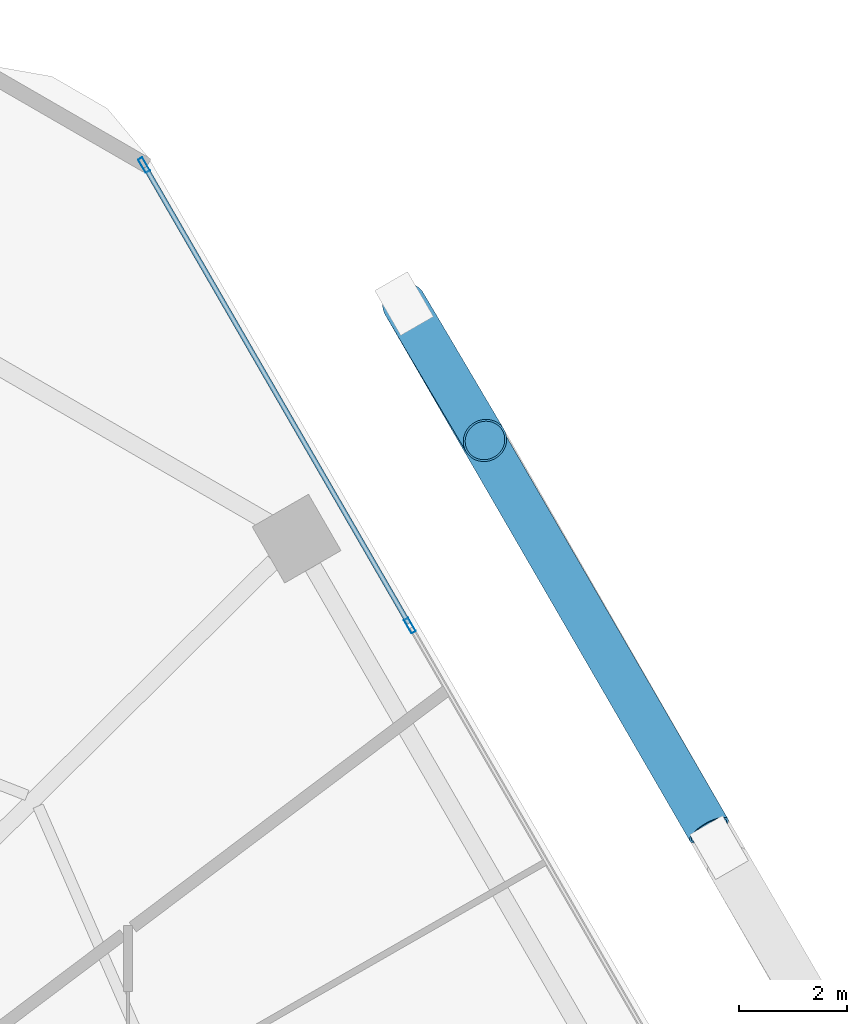
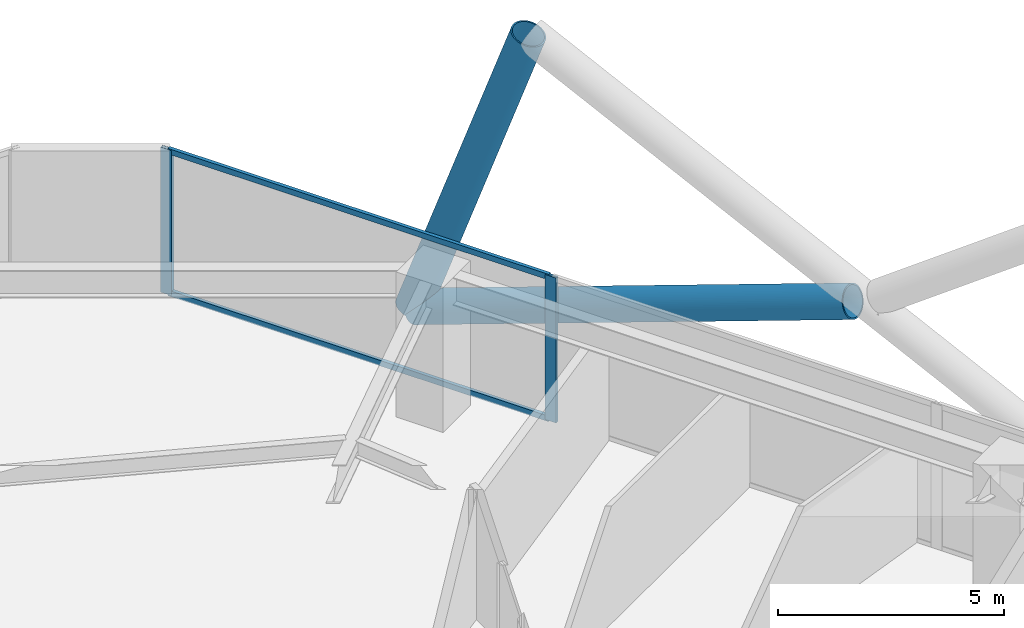
# One storey, part 23 of 29: 6 members, 1 element without a shape of its own.
"""IFC4 building model written with IfcOpenShell, lengths in metres."""

from ifc_helpers import new_model, si_unit, direction, frame, origin, origin_2d, place, context, subcontext, project, spatial, hollow_rectangle, hollow_circle, extrude, material, material_profile, profile_set, type_object, element, aggregate, save


model = new_model("IFC4")

# Units and contexts
model_context = context("Model", 3, precision=1e-05, world=origin(), true_north=direction((0.0, 1.0)))
body_context = subcontext(model_context, "Body", "Model", "MODEL_VIEW")
ifc_project = project(units=[si_unit("LENGTHUNIT", "METRE"), si_unit("AREAUNIT", "SQUARE_METRE"), si_unit("VOLUMEUNIT", "CUBIC_METRE"), si_unit("PLANEANGLEUNIT", "RADIAN"), si_unit("MASSUNIT", "GRAM", prefix="KILO")], contexts=[model_context])

# Site, building, storey
site_placement = place(None, origin())
site = spatial("IfcSite", under=ifc_project, at=site_placement, CompositionType="ELEMENT")
building_placement = place(site_placement, origin())
building = spatial("IfcBuilding", under=site, at=building_placement, Name="Zuhravey Tower", CompositionType="ELEMENT")
storey_placement = place(building_placement, frame((0.0, 0.0, 41.39990234375)))
storey = spatial("IfcBuildingStorey", under=building, at=storey_placement, Name="L10", CompositionType="ELEMENT", Elevation=41.39990234375)

# Curtain wall, members
ifc_material_1 = material(Name="Thermally broken anodised aluminium", Category="aluminium")
curtain_wall_type = type_object("IfcCurtainWallType", Name="School Low-E Unitised Curtain Wall CW1", PredefinedType="NOTDEFINED", material=ifc_material_1)
curtain_wall_placement = place(storey_placement, origin())
curtain_wall = element("IfcCurtainWall", 1, at=curtain_wall_placement, inside=storey, type_object=curtain_wall_type, Name="L10 CW1 CW-L10-F1-1", PredefinedType="NOTDEFINED")
ifc_material_2 = material(Name="Anodised aluminium", Category="aluminium")
ifc_material_profile_1 = material_profile(ifc_material_2, hollow_rectangle(XDim=0.090087890625, YDim=0.284912109375, WallThickness=0.0048828125, at=origin_2d()), Name="ALU-RHS-90x285x5")
ifc_profile_set_1 = profile_set([ifc_material_profile_1], Name="Anodised aluminium")
member_type_1 = type_object("IfcMemberType", Name="Curtain-Wall Mullion 90x180", PredefinedType="MULLION", material=ifc_profile_set_1)
member_1_placement = place(storey_placement, frame((53.701416015625, 59.257080078125, 0.0), z_axis=(0.0, 0.0, 1.0), x_axis=(0.86602552265, 0.499999794119, 0.0)))
member_1 = element("IfcMember", 2, at=member_1_placement, type_object=member_type_1, Name="CW1 mullion 1", PredefinedType="MULLION", context=body_context, shape_type="SweptSolid", body=[
    extrude(hollow_rectangle(XDim=0.090087890625, YDim=0.284912109375, WallThickness=0.0048828125, at=origin_2d()), origin(), (0.0, 0.0, 1.0), 3.920166015625),
])
member_2_placement = place(storey_placement, frame((58.612060546875, 50.75146484375, 0.0), z_axis=(0.0, 0.0, 1.0), x_axis=(0.86602552265, 0.499999794119, 0.0)))
member_2 = element("IfcMember", 3, at=member_2_placement, type_object=member_type_1, Name="CW1 mullion 2", PredefinedType="MULLION", context=body_context, shape_type="SweptSolid", body=[
    extrude(hollow_rectangle(XDim=0.090087890625, YDim=0.284912109375, WallThickness=0.0048828125, at=origin_2d()), origin(), (0.0, 0.0, 1.0), 3.920166015625),
])
ifc_material_profile_2 = material_profile(ifc_material_2, hollow_rectangle(XDim=0.090087890625, YDim=0.14990234375, WallThickness=0.0048828125, at=origin_2d()), Name="ALU-RHS-90x150x5")
ifc_profile_set_2 = profile_set([ifc_material_profile_2], Name="Anodised aluminium")
member_type_2 = type_object("IfcMemberType", Name="Curtain-Wall Transom 90x150", PredefinedType="USERDEFINED", material=ifc_profile_set_2)
member_3_placement = place(storey_placement, frame((53.72412109375, 59.218017578125, 0.045166015625), z_axis=(0.499989576763, -0.86603142156, 0.0), x_axis=(0.86603142156, 0.499989576763, 0.0)))
member_3 = element("IfcMember", 4, at=member_3_placement, type_object=member_type_2, Name="CW1 transom 1.1", ObjectType="TRANSOM", PredefinedType="USERDEFINED", context=body_context, shape_type="SweptSolid", body=[
    extrude(hollow_rectangle(XDim=0.090087890625, YDim=0.14990234375, WallThickness=0.0048828125, at=origin_2d()), origin(), (0.0, 0.0, 1.0), 9.731201171875),
])
member_4_placement = place(storey_placement, frame((53.72412109375, 59.218017578125, 3.875), z_axis=(0.499989576763, -0.86603142156, 0.0), x_axis=(0.86603142156, 0.499989576763, 0.0)))
member_4 = element("IfcMember", 5, at=member_4_placement, type_object=member_type_2, Name="CW1 transom 1.2", ObjectType="TRANSOM", PredefinedType="USERDEFINED", context=body_context, shape_type="SweptSolid", body=[
    extrude(hollow_rectangle(XDim=0.090087890625, YDim=0.14990234375, WallThickness=0.0048828125, at=origin_2d()), origin(), (0.0, 0.0, 1.0), 9.731201171875),
])
aggregate(curtain_wall, [member_1, member_2, member_3, member_4])

# Members
ifc_material_3 = material(Name="Steel SM460", Category="steel")
ifc_material_profile_3 = material_profile(ifc_material_3, hollow_circle(Radius=0.406494140625, WallThickness=0.035888671875, at=origin_2d()), Name="CHS-812.8x36")
ifc_profile_set_3 = profile_set([ifc_material_profile_3], Name="Steel SM460")
member_type_3 = type_object("IfcMemberType", Name="Exoskeleton Zone 1 Diagrid CHS813x36", PredefinedType="BRACE", material=ifc_profile_set_3)
member_5_placement = place(storey_placement, frame((58.50830078125, 56.69140625, -0.471923828125), z_axis=(0.168255765182, -0.284672651548, 0.943743333192), x_axis=(0.860873401885, 0.508819207507, 0.0)))
element("IfcMember", 6, at=member_5_placement, inside=storey, type_object=member_type_3, Name="L10 Face 1 Diagrid Brace 4", PredefinedType="BRACE", context=body_context, shape_type="SweptSolid", body=[
    extrude(hollow_circle(Radius=0.406494140625, WallThickness=0.035888671875, at=origin_2d()), origin(), (0.0, 0.0, 1.0), 8.85400390625),
])
member_6_placement = place(storey_placement, frame((58.5283203125, 56.656982421875, -0.476806640625), z_axis=(0.471216049134, -0.813752606712, 0.340238343089), x_axis=(0.865381959658, 0.501112825518, 0.0)))
element("IfcMember", 7, at=member_6_placement, inside=storey, type_object=member_type_3, Name="L10 Face 1 Split Diagrid Brace 3A", PredefinedType="BRACE", context=body_context, shape_type="SweptSolid", body=[
    extrude(hollow_circle(Radius=0.406494140625, WallThickness=0.035888671875, at=origin_2d()), origin(), (0.0, 0.0, 1.0), 11.897705078125),
])

save(model, "model.ifc")
